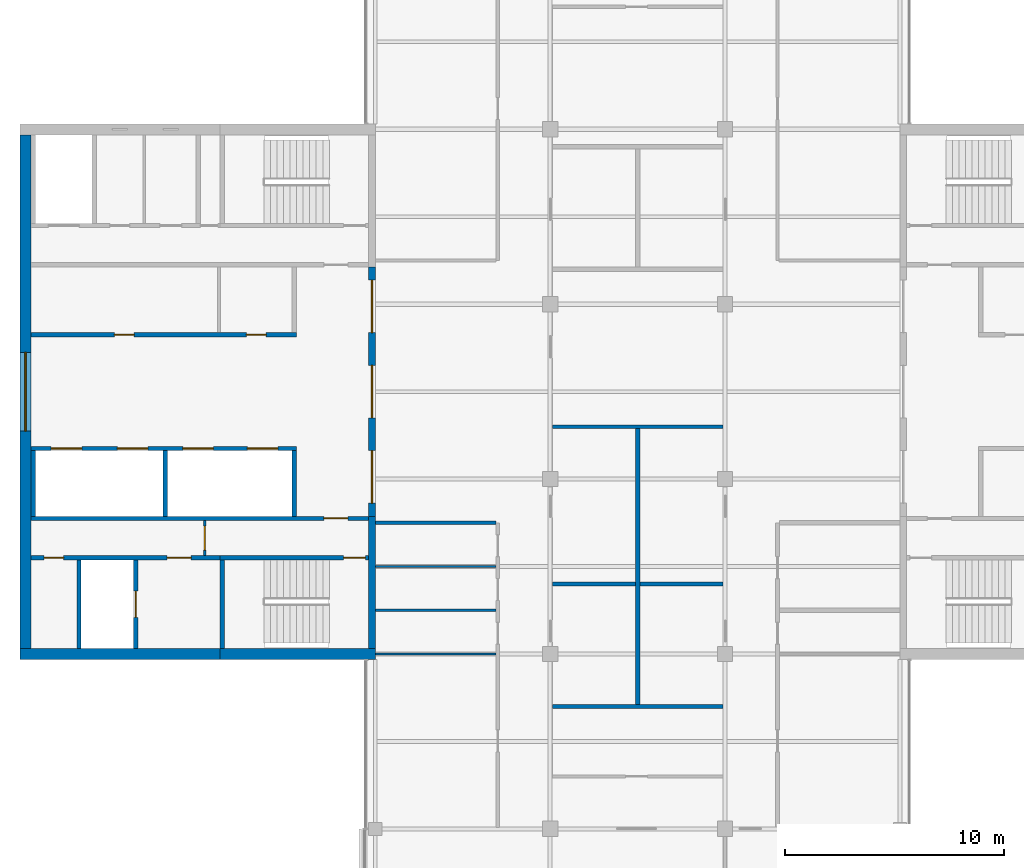
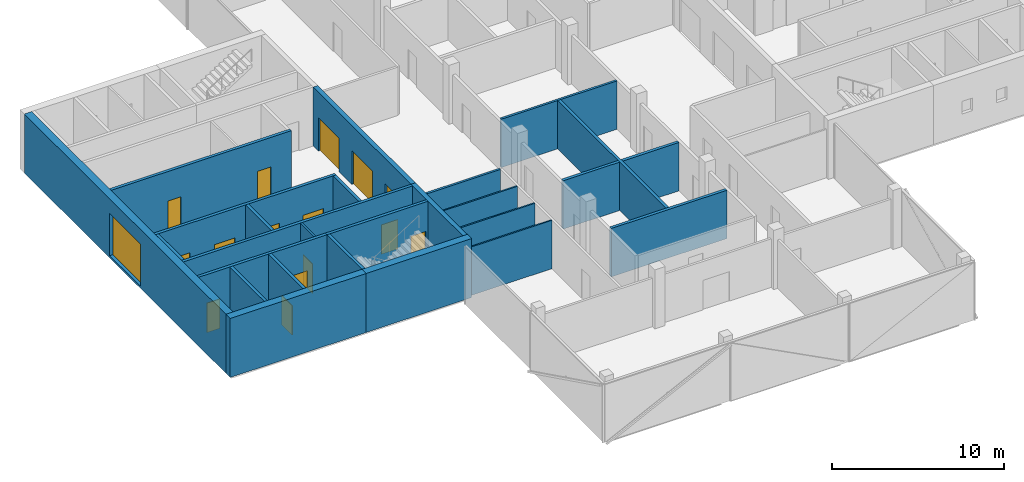
# One storey, part 9 of 16: 26 walls, 15 doors, 1 window, 16 openings.
"""IFC4 building model written with IfcOpenShell, lengths in metres."""

from ifc_helpers import new_model, si_unit, direction, frame, frame_2d, origin, place, context, subcontext, project, spatial, rectangle, extrude, material, layer, layer_set, constituent, constituent_set, type_object, element, fill, save


model = new_model("IFC4")

# Units and contexts
model_context = context("Model", 3, precision=1e-05, world=origin(), true_north=direction((0.0, 1.0)))
body_context = subcontext(model_context, "Body", "Model", "MODEL_VIEW")
ifc_project = project(units=[si_unit("LENGTHUNIT", "METRE"), si_unit("AREAUNIT", "SQUARE_METRE"), si_unit("VOLUMEUNIT", "CUBIC_METRE"), si_unit("PLANEANGLEUNIT", "RADIAN"), si_unit("MASSUNIT", "GRAM", prefix="KILO")], contexts=[model_context])

# Site, building, storey
site_placement = place(None, origin())
site = spatial("IfcSite", under=ifc_project, at=site_placement, CompositionType="ELEMENT")
building_placement = place(site_placement, origin())
building = spatial("IfcBuilding", under=site, at=building_placement, Name="Crosswind Convention Tower", CompositionType="ELEMENT")
storey_placement = place(building_placement, frame((0.0, 0.0, 287.10009765625)))
storey = spatial("IfcBuildingStorey", under=building, at=storey_placement, Name="L62", CompositionType="ELEMENT", Elevation=287.10009765625)

# Walls
ifc_material_1 = material(Name="Concrete blockwork", Category="masonry")
ifc_layer_1 = layer(ifc_material_1, 0.199951171875)
ifc_layer_set_1 = layer_set([ifc_layer_1], Name="COMPARTMENT WALL 200 BLOCKWORK")
wall_type_1 = type_object("IfcWallType", Name="COMPARTMENT WALL 200 BLOCKWORK", PredefinedType="SOLIDWALL", material=ifc_layer_set_1)
wall_1_placement = place(storey_placement, frame((125.0, 85.699951171875, 0.0), z_axis=(0.0, 0.0, 1.0), x_axis=(0.0, 1.0, 0.0)))
element("IfcWall", 1, at=wall_1_placement, inside=storey, type_object=wall_type_1, Name="Compartment wall WT42", PredefinedType="SOLIDWALL", context=body_context, shape_type="SweptSolid", body=[
    extrude(rectangle(XDim=12.625, YDim=0.199951171875, at=frame_2d((6.3125, 0.0))), origin(), (0.0, 0.0, 1.0), 3.442626953125),
])
wall_2_placement = place(storey_placement, frame((121.10009765625, 85.60009765625, 0.0), z_axis=(0.0, 0.0, 1.0), x_axis=(1.0, 0.0, 0.0)))
element("IfcWall", 2, at=wall_2_placement, inside=storey, type_object=wall_type_1, Name="Compartment wall WT42", PredefinedType="SOLIDWALL", context=body_context, shape_type="SweptSolid", body=[
    extrude(rectangle(XDim=7.7998046875, YDim=0.199951171875, at=frame_2d((3.89990234375, 0.0))), origin(), (0.0, 0.0, 1.0), 3.442626953125),
])
for number, where, z_axis, x_axis, name in (
    (3, (121.10009765625, 91.199951171875, 0.0), (0.0, 0.0, 1.0), (1.0, 0.0, 0.0), "Compartment wall WT42"),
    (4, (125.10009765625, 91.199951171875, 0.0), (0.0, 0.0, 1.0), (1.0, 0.0, 0.0), "Compartment wall WT42"),
):
    element("IfcWall", number, at=place(storey_placement, frame(where, z_axis=z_axis, x_axis=x_axis)), inside=storey, type_object=wall_type_1, Name=name, PredefinedType="SOLIDWALL", context=body_context, shape_type="SweptSolid", body=[
        extrude(rectangle(XDim=3.7998046875, YDim=0.199951171875, at=frame_2d((1.89990234375, 0.0))), origin(), (0.0, 0.0, 1.0), 3.442626953125),
    ])

# Wall, openings, doors
ifc_material_2 = material(Name="Concrete C50/60", Category="concrete")
ifc_layer_2 = layer(ifc_material_2, 0.300048828125)
ifc_layer_set_2 = layer_set([ifc_layer_2], Name="Concrete C50/60")
wall_type_2 = type_object("IfcWallType", Name="Concrete inner core wall 300", PredefinedType="SHEAR", material=ifc_layer_set_2)
wall_3_placement = place(storey_placement, frame((112.85009765625, 105.699951171875, 0.0), z_axis=(0.0, 0.0, 1.0), x_axis=(0.0, -1.0, 0.0)))
wall_3 = element("IfcWall", 5, at=wall_3_placement, inside=storey, type_object=wall_type_2, Name="Wall SCR W L62", PredefinedType="SHEAR", context=body_context, shape_type="SweptSolid", body=[
    extrude(rectangle(XDim=11.39990234375, YDim=0.300048828125, at=frame_2d((5.699951171875, 0.0))), origin(), (0.0, 0.0, 1.0), 4.199951171875),
])
opening_1_placement = place(wall_3_placement, frame((0.60009765625, 0.0, 0.0)))
opening_1 = element("IfcOpeningElement", 6, at=opening_1_placement, cuts=wall_3, Name="Opening D100", PredefinedType="OPENING", context=body_context, shape_type="SweptSolid", body=[
    extrude(rectangle(XDim=2.39990234375, YDim=2.39990234375, at=frame_2d((1.199951171875, 1.199951171875))), frame((0.0, 0.159912109375, 0.0), z_axis=(0.0, -1.0, 0.0), x_axis=(1.0, 0.0, 0.0)), (0.0, 0.0, 1.0), 0.320068359375),
])
opening_2_placement = place(wall_3_placement, frame((4.5, 0.0, 0.0)))
opening_2 = element("IfcOpeningElement", 7, at=opening_2_placement, cuts=wall_3, Name="Opening D100", PredefinedType="OPENING", context=body_context, shape_type="SweptSolid", body=[
    extrude(rectangle(XDim=2.39990234375, YDim=2.39990234375, at=frame_2d((1.199951171875, 1.199951171875))), frame((0.0, 0.159912109375, 0.0), z_axis=(0.0, -1.0, 0.0), x_axis=(1.0, 0.0, 0.0)), (0.0, 0.0, 1.0), 0.320068359375),
])
opening_3_placement = place(wall_3_placement, frame((8.39990234375, 0.0, 0.0)))
opening_3 = element("IfcOpeningElement", 8, at=opening_3_placement, cuts=wall_3, Name="Opening D100", PredefinedType="OPENING", context=body_context, shape_type="SweptSolid", body=[
    extrude(rectangle(XDim=2.39990234375, YDim=2.39990234375, at=frame_2d((1.199951171875, 1.199951171875))), frame((0.0, 0.159912109375, 0.0), z_axis=(0.0, -1.0, 0.0), x_axis=(1.0, 0.0, 0.0)), (0.0, 0.0, 1.0), 0.320068359375),
])
ifc_material_3 = material(Name="Steel fire door with glazed vision panels", Category="steel")
door_type_1 = type_object("IfcDoorType", Name="Fire-rated double door 2400x2400", OperationType="DOUBLE_DOOR_SINGLE_SWING", PredefinedType="DOOR", material=ifc_material_3)
door_1_placement = place(opening_1_placement, origin())
door_1 = element("IfcDoor", 9, at=door_1_placement, inside=storey, type_object=door_type_1, Name="Lobby door 1 L62", ObjectType="D100", OperationType="DOUBLE_DOOR_SINGLE_SWING", OverallHeight=2.39990234375, OverallWidth=2.39990234375, PredefinedType="DOOR", context=body_context, shape_type="SweptSolid", body=[
    extrude(rectangle(XDim=2.39990234375, YDim=2.39990234375, at=frame_2d((1.199951171875, 1.199951171875))), frame((0.0, 0.02490234375, 0.0), z_axis=(0.0, -1.0, 0.0), x_axis=(1.0, 0.0, 0.0)), (0.0, 0.0, 1.0), 0.050048828125),
])
fill(opening_1, door_1)
door_2_placement = place(opening_2_placement, origin())
door_2 = element("IfcDoor", 10, at=door_2_placement, inside=storey, type_object=door_type_1, Name="Lobby door 2 L62", ObjectType="D100", OperationType="DOUBLE_DOOR_SINGLE_SWING", OverallHeight=2.39990234375, OverallWidth=2.39990234375, PredefinedType="DOOR", context=body_context, shape_type="SweptSolid", body=[
    extrude(rectangle(XDim=2.39990234375, YDim=2.39990234375, at=frame_2d((1.199951171875, 1.199951171875))), frame((0.0, 0.02490234375, 0.0), z_axis=(0.0, -1.0, 0.0), x_axis=(1.0, 0.0, 0.0)), (0.0, 0.0, 1.0), 0.050048828125),
])
fill(opening_2, door_2)
door_3_placement = place(opening_3_placement, origin())
door_3 = element("IfcDoor", 11, at=door_3_placement, inside=storey, type_object=door_type_1, Name="Lobby door 3 L62", ObjectType="D100", OperationType="DOUBLE_DOOR_SINGLE_SWING", OverallHeight=2.39990234375, OverallWidth=2.39990234375, PredefinedType="DOOR", context=body_context, shape_type="SweptSolid", body=[
    extrude(rectangle(XDim=2.39990234375, YDim=2.39990234375, at=frame_2d((1.199951171875, 1.199951171875))), frame((0.0, 0.02490234375, 0.0), z_axis=(0.0, -1.0, 0.0), x_axis=(1.0, 0.0, 0.0)), (0.0, 0.0, 1.0), 0.050048828125),
])
fill(opening_3, door_3)

# Walls
wall_4_placement = place(storey_placement, frame((112.85009765625, 94.300048828125, 0.0), z_axis=(0.0, 0.0, 1.0), x_axis=(0.0, -1.0, 0.0)))
element("IfcWall", 12, at=wall_4_placement, inside=storey, type_object=wall_type_2, Name="Wall EP W L62", PredefinedType="SHEAR", context=body_context, shape_type="SweptSolid", body=[
    extrude(rectangle(XDim=6.050048828125, YDim=0.300048828125, at=frame_2d((3.02490234375, 0.0))), origin(), (0.0, 0.0, 1.0), 4.199951171875),
])
ifc_layer_3 = layer(ifc_material_2, 0.199951171875)
ifc_layer_set_3 = layer_set([ifc_layer_3], Name="Concrete C50/60")
wall_type_3 = type_object("IfcWallType", Name="Concrete shaft and stair wall 200", PredefinedType="SHEAR", material=ifc_layer_set_3)
for number, where, z_axis, x_axis, name in (
    (13, (109.300048828125, 97.300048828125, 0.0), (0.0, 0.0, 1.0), (0.0, -1.0, 0.0), "Wall RPEND W L62"),
    (14, (103.39990234375, 97.300048828125, 0.0), (0.0, 0.0, 1.0), (0.0, -1.0, 0.0), "Wall RPSEP W L62"),
    (15, (97.35009765625, 97.300048828125, 0.0), (0.0, 0.0, 1.0), (0.0, -1.0, 0.0), "Wall RPEAST W L62"),
):
    element("IfcWall", number, at=place(storey_placement, frame(where, z_axis=z_axis, x_axis=x_axis)), inside=storey, type_object=wall_type_3, Name=name, PredefinedType="SHEAR", context=body_context, shape_type="SweptSolid", body=[
        extrude(rectangle(XDim=3.0, YDim=0.199951171875, at=frame_2d((1.5, 0.0))), origin(), (0.0, 0.0, 1.0), 4.199951171875),
    ])

# Wall, openings, doors
wall_5_placement = place(storey_placement, frame((109.39990234375, 97.39990234375, 0.0), z_axis=(0.0, 0.0, 1.0), x_axis=(-1.0, 0.0, 0.0)))
wall_5 = element("IfcWall", 16, at=wall_5_placement, inside=storey, type_object=wall_type_3, Name="Wall RPFRONT W L62", PredefinedType="SHEAR", context=body_context, shape_type="SweptSolid", body=[
    extrude(rectangle(XDim=12.14990234375, YDim=0.199951171875, at=frame_2d((6.074951171875, 0.0))), origin(), (0.0, 0.0, 1.0), 4.199951171875),
])
opening_4_placement = place(wall_5_placement, frame((0.85009765625, 0.0, 0.0)))
opening_4 = element("IfcOpeningElement", 17, at=opening_4_placement, cuts=wall_5, Name="Opening LD2", PredefinedType="OPENING", context=body_context, shape_type="SweptSolid", body=[
    extrude(rectangle(XDim=1.39990234375, YDim=2.10009765625, at=frame_2d((0.699951171875, 1.050048828125))), frame((0.0, 0.10986328125, 0.0), z_axis=(0.0, -1.0, 0.0), x_axis=(1.0, 0.0, 0.0)), (0.0, 0.0, 1.0), 0.219970703125),
])
opening_5_placement = place(wall_5_placement, frame((3.800048828125, 0.0, 0.0)))
opening_5 = element("IfcOpeningElement", 18, at=opening_5_placement, cuts=wall_5, Name="Opening LD2", PredefinedType="OPENING", context=body_context, shape_type="SweptSolid", body=[
    extrude(rectangle(XDim=1.39990234375, YDim=2.10009765625, at=frame_2d((0.699951171875, 1.050048828125))), frame((0.0, 0.10986328125, 0.0), z_axis=(0.0, -1.0, 0.0), x_axis=(1.0, 0.0, 0.0)), (0.0, 0.0, 1.0), 0.219970703125),
])
opening_6_placement = place(wall_5_placement, frame((6.800048828125, 0.0, 0.0)))
opening_6 = element("IfcOpeningElement", 19, at=opening_6_placement, cuts=wall_5, Name="Opening LD2", PredefinedType="OPENING", context=body_context, shape_type="SweptSolid", body=[
    extrude(rectangle(XDim=1.39990234375, YDim=2.10009765625, at=frame_2d((0.699951171875, 1.050048828125))), frame((0.0, 0.10986328125, 0.0), z_axis=(0.0, -1.0, 0.0), x_axis=(1.0, 0.0, 0.0)), (0.0, 0.0, 1.0), 0.219970703125),
])
opening_7_placement = place(wall_5_placement, frame((9.824951171875, 0.0, 0.0)))
opening_7 = element("IfcOpeningElement", 20, at=opening_7_placement, cuts=wall_5, Name="Opening LD2", PredefinedType="OPENING", context=body_context, shape_type="SweptSolid", body=[
    extrude(rectangle(XDim=1.39990234375, YDim=2.10009765625, at=frame_2d((0.699951171875, 1.050048828125))), frame((0.0, 0.10986328125, 0.0), z_axis=(0.0, -1.0, 0.0), x_axis=(1.0, 0.0, 0.0)), (0.0, 0.0, 1.0), 0.219970703125),
])
ifc_material_4 = material(Name="Stainless steel", Category="steel")
door_type_2 = type_object("IfcDoorType", Name="Lift landing door 1400x2100", OperationType="DOUBLE_DOOR_SLIDING", PredefinedType="DOOR", material=ifc_material_4)
door_4_placement = place(opening_4_placement, origin())
door_4 = element("IfcDoor", 21, at=door_4_placement, inside=storey, type_object=door_type_2, Name="Landing door HR1 L62", ObjectType="LD2", OperationType="DOUBLE_DOOR_SLIDING", OverallHeight=2.10009765625, OverallWidth=1.39990234375, PredefinedType="DOOR", context=body_context, shape_type="SweptSolid", body=[
    extrude(rectangle(XDim=1.39990234375, YDim=2.10009765625, at=frame_2d((0.699951171875, 1.050048828125))), frame((0.0, 0.02490234375, 0.0), z_axis=(0.0, -1.0, 0.0), x_axis=(1.0, 0.0, 0.0)), (0.0, 0.0, 1.0), 0.050048828125),
])
fill(opening_4, door_4)
door_5_placement = place(opening_5_placement, origin())
door_5 = element("IfcDoor", 22, at=door_5_placement, inside=storey, type_object=door_type_2, Name="Landing door HR2 L62", ObjectType="LD2", OperationType="DOUBLE_DOOR_SLIDING", OverallHeight=2.10009765625, OverallWidth=1.39990234375, PredefinedType="DOOR", context=body_context, shape_type="SweptSolid", body=[
    extrude(rectangle(XDim=1.39990234375, YDim=2.10009765625, at=frame_2d((0.699951171875, 1.050048828125))), frame((0.0, 0.02490234375, 0.0), z_axis=(0.0, -1.0, 0.0), x_axis=(1.0, 0.0, 0.0)), (0.0, 0.0, 1.0), 0.050048828125),
])
fill(opening_5, door_5)
door_6_placement = place(opening_6_placement, origin())
door_6 = element("IfcDoor", 23, at=door_6_placement, inside=storey, type_object=door_type_2, Name="Landing door HR3 L62", ObjectType="LD2", OperationType="DOUBLE_DOOR_SLIDING", OverallHeight=2.10009765625, OverallWidth=1.39990234375, PredefinedType="DOOR", context=body_context, shape_type="SweptSolid", body=[
    extrude(rectangle(XDim=1.39990234375, YDim=2.10009765625, at=frame_2d((0.699951171875, 1.050048828125))), frame((0.0, 0.02490234375, 0.0), z_axis=(0.0, -1.0, 0.0), x_axis=(1.0, 0.0, 0.0)), (0.0, 0.0, 1.0), 0.050048828125),
])
fill(opening_6, door_6)
door_7_placement = place(opening_7_placement, origin())
door_7 = element("IfcDoor", 24, at=door_7_placement, inside=storey, type_object=door_type_2, Name="Landing door HR4 L62", ObjectType="LD2", OperationType="DOUBLE_DOOR_SLIDING", OverallHeight=2.10009765625, OverallWidth=1.39990234375, PredefinedType="DOOR", context=body_context, shape_type="SweptSolid", body=[
    extrude(rectangle(XDim=1.39990234375, YDim=2.10009765625, at=frame_2d((0.699951171875, 1.050048828125))), frame((0.0, 0.02490234375, 0.0), z_axis=(0.0, -1.0, 0.0), x_axis=(1.0, 0.0, 0.0)), (0.0, 0.0, 1.0), 0.050048828125),
])
fill(opening_7, door_7)

wall_6_placement = place(storey_placement, frame((109.39990234375, 102.60009765625, 0.0), z_axis=(0.0, 0.0, 1.0), x_axis=(-1.0, 0.0, 0.0)))
wall_6 = element("IfcWall", 25, at=wall_6_placement, inside=storey, type_object=wall_type_3, Name="Wall RMFRONT W L62", PredefinedType="SHEAR", context=body_context, shape_type="SweptSolid", body=[
    extrude(rectangle(XDim=12.14990234375, YDim=0.199951171875, at=frame_2d((6.074951171875, 0.0))), origin(), (0.0, 0.0, 1.0), 4.199951171875),
])
opening_8_placement = place(wall_6_placement, frame((1.391845703125, 0.0, 0.0)))
opening_8 = element("IfcOpeningElement", 26, at=opening_8_placement, cuts=wall_6, Name="Opening D106", PredefinedType="OPENING", context=body_context, shape_type="SweptSolid", body=[
    extrude(rectangle(XDim=0.89990234375, YDim=2.10009765625, at=frame_2d((0.449951171875, 1.050048828125))), frame((0.0, 0.10986328125, 0.0), z_axis=(0.0, -1.0, 0.0), x_axis=(1.0, 0.0, 0.0)), (0.0, 0.0, 1.0), 0.219970703125),
])
opening_9_placement = place(wall_6_placement, frame((7.42919921875, 0.0, 0.0)))
opening_9 = element("IfcOpeningElement", 27, at=opening_9_placement, cuts=wall_6, Name="Opening D106", PredefinedType="OPENING", context=body_context, shape_type="SweptSolid", body=[
    extrude(rectangle(XDim=0.89990234375, YDim=2.10009765625, at=frame_2d((0.449951171875, 1.050048828125))), frame((0.0, 0.10986328125, 0.0), z_axis=(0.0, -1.0, 0.0), x_axis=(1.0, 0.0, 0.0)), (0.0, 0.0, 1.0), 0.219970703125),
])
ifc_material_5 = material(Name="Timber door", Category="wood")
door_type_3 = type_object("IfcDoorType", Name="Single leaf door 900x2100", OperationType="NOTDEFINED", PredefinedType="DOOR", material=ifc_material_5)
door_8_placement = place(opening_8_placement, frame((0.89990234375, 0.0, 0.0), z_axis=(0.0, 0.0, 1.0), x_axis=(-1.0, 0.0, 0.0)))
door_8 = element("IfcDoor", 28, at=door_8_placement, inside=storey, type_object=door_type_3, Name="Door to storeroom L62", ObjectType="D106", OperationType="SINGLE_SWING_LEFT", OverallHeight=2.10009765625, OverallWidth=0.89990234375, PredefinedType="DOOR", context=body_context, shape_type="SweptSolid", body=[
    extrude(rectangle(XDim=0.89990234375, YDim=2.10009765625, at=frame_2d((0.449951171875, 1.050048828125))), frame((0.0, 0.02490234375, 0.0), z_axis=(0.0, -1.0, 0.0), x_axis=(1.0, 0.0, 0.0)), (0.0, 0.0, 1.0), 0.050048828125),
])
fill(opening_8, door_8)
door_9_placement = place(opening_9_placement, frame((0.89990234375, 0.0, 0.0), z_axis=(0.0, 0.0, 1.0), x_axis=(-1.0, 0.0, 0.0)))
door_9 = element("IfcDoor", 29, at=door_9_placement, inside=storey, type_object=door_type_3, Name="Door to tenant services room L62", ObjectType="D106", OperationType="SINGLE_SWING_LEFT", OverallHeight=2.10009765625, OverallWidth=0.89990234375, PredefinedType="DOOR", context=body_context, shape_type="SweptSolid", body=[
    extrude(rectangle(XDim=0.89990234375, YDim=2.10009765625, at=frame_2d((0.449951171875, 1.050048828125))), frame((0.0, 0.02490234375, 0.0), z_axis=(0.0, -1.0, 0.0), x_axis=(1.0, 0.0, 0.0)), (0.0, 0.0, 1.0), 0.050048828125),
])
fill(opening_9, door_9)

# Wall, opening, door
wall_7_placement = place(storey_placement, frame((112.699951171875, 94.199951171875, 0.0), z_axis=(0.0, 0.0, 1.0), x_axis=(-1.0, 0.0, 0.0)))
wall_7 = element("IfcWall", 30, at=wall_7_placement, inside=storey, type_object=wall_type_3, Name="Wall HP W L62", PredefinedType="SHEAR", context=body_context, shape_type="SweptSolid", body=[
    extrude(rectangle(XDim=15.449951171875, YDim=0.199951171875, at=frame_2d((7.72509765625, 0.0))), origin(), (0.0, 0.0, 1.0), 4.199951171875),
])
opening_10_placement = place(wall_7_placement, frame((0.949951171875, 0.0, 0.0)))
opening_10 = element("IfcOpeningElement", 31, at=opening_10_placement, cuts=wall_7, Name="Opening D104", PredefinedType="OPENING", context=body_context, shape_type="SweptSolid", body=[
    extrude(rectangle(XDim=1.10009765625, YDim=2.10009765625, at=frame_2d((0.550048828125, 1.050048828125))), frame((0.0, 0.10986328125, 0.0), z_axis=(0.0, -1.0, 0.0), x_axis=(1.0, 0.0, 0.0)), (0.0, 0.0, 1.0), 0.219970703125),
])
ifc_material_6 = material(Name="Steel fire door", Category="steel")
door_type_4 = type_object("IfcDoorType", Name="Fire-rated single door 1100x2100", OperationType="NOTDEFINED", PredefinedType="DOOR", material=ifc_material_6)
door_10_placement = place(opening_10_placement, origin())
door_10 = element("IfcDoor", 32, at=door_10_placement, inside=storey, type_object=door_type_4, Name="Corridor door L62", ObjectType="D104", OperationType="SINGLE_SWING_LEFT", OverallHeight=2.10009765625, OverallWidth=1.10009765625, PredefinedType="DOOR", context=body_context, shape_type="SweptSolid", body=[
    extrude(rectangle(XDim=1.10009765625, YDim=2.10009765625, at=frame_2d((0.550048828125, 1.050048828125))), frame((0.0, 0.02490234375, 0.0), z_axis=(0.0, -1.0, 0.0), x_axis=(1.0, 0.0, 0.0)), (0.0, 0.0, 1.0), 0.050048828125),
])
fill(opening_10, door_10)

# Wall
wall_8_placement = place(storey_placement, frame((106.0, 92.300048828125, 0.0), z_axis=(0.0, 0.0, 1.0), x_axis=(0.0, -1.0, 0.0)))
element("IfcWall", 33, at=wall_8_placement, inside=storey, type_object=wall_type_3, Name="Wall PSE W L62", PredefinedType="SHEAR", context=body_context, shape_type="SweptSolid", body=[
    extrude(rectangle(XDim=4.050048828125, YDim=0.199951171875, at=frame_2d((2.02490234375, 0.0))), origin(), (0.0, 0.0, 1.0), 4.199951171875),
])

# Wall, opening, door
wall_9_placement = place(storey_placement, frame((102.050048828125, 92.300048828125, 0.0), z_axis=(0.0, 0.0, 1.0), x_axis=(0.0, -1.0, 0.0)))
wall_9 = element("IfcWall", 34, at=wall_9_placement, inside=storey, type_object=wall_type_3, Name="Wall PFLW W L62", PredefinedType="SHEAR", context=body_context, shape_type="SweptSolid", body=[
    extrude(rectangle(XDim=4.050048828125, YDim=0.199951171875, at=frame_2d((2.02490234375, 0.0))), origin(), (0.0, 0.0, 1.0), 4.199951171875),
])
opening_11_placement = place(wall_9_placement, frame((1.425048828125, 0.0, 0.0)))
opening_11 = element("IfcOpeningElement", 35, at=opening_11_placement, cuts=wall_9, Name="Opening LD1", PredefinedType="OPENING", context=body_context, shape_type="SweptSolid", body=[
    extrude(rectangle(XDim=1.199951171875, YDim=2.10009765625, at=frame_2d((0.60009765625, 1.050048828125))), frame((0.0, 0.10986328125, 0.0), z_axis=(0.0, -1.0, 0.0), x_axis=(1.0, 0.0, 0.0)), (0.0, 0.0, 1.0), 0.219970703125),
])
door_type_5 = type_object("IfcDoorType", Name="Lift landing door 1200x2100", OperationType="DOUBLE_DOOR_SLIDING", PredefinedType="DOOR", material=ifc_material_4)
door_11_placement = place(opening_11_placement, origin())
door_11 = element("IfcDoor", 36, at=door_11_placement, inside=storey, type_object=door_type_5, Name="Landing door FF2 L62", ObjectType="LD1", OperationType="DOUBLE_DOOR_SLIDING", OverallHeight=2.10009765625, OverallWidth=1.199951171875, PredefinedType="DOOR", context=body_context, shape_type="SweptSolid", body=[
    extrude(rectangle(XDim=1.199951171875, YDim=2.10009765625, at=frame_2d((0.60009765625, 1.050048828125))), frame((0.0, 0.02490234375, 0.0), z_axis=(0.0, -1.0, 0.0), x_axis=(1.0, 0.0, 0.0)), (0.0, 0.0, 1.0), 0.050048828125),
])
fill(opening_11, door_11)

# Wall
wall_10_placement = place(storey_placement, frame((99.449951171875, 92.300048828125, 0.0), z_axis=(0.0, 0.0, 1.0), x_axis=(0.0, -1.0, 0.0)))
element("IfcWall", 37, at=wall_10_placement, inside=storey, type_object=wall_type_3, Name="Wall PFSE W L62", PredefinedType="SHEAR", context=body_context, shape_type="SweptSolid", body=[
    extrude(rectangle(XDim=4.050048828125, YDim=0.199951171875, at=frame_2d((2.02490234375, 0.0))), origin(), (0.0, 0.0, 1.0), 4.199951171875),
])

# Wall, opening, door
wall_11_placement = place(storey_placement, frame((112.699951171875, 92.39990234375, 0.0), z_axis=(0.0, 0.0, 1.0), x_axis=(-1.0, 0.0, 0.0)))
wall_11 = element("IfcWall", 38, at=wall_11_placement, inside=storey, type_object=wall_type_3, Name="Wall PCW W L62", PredefinedType="SHEAR", context=body_context, shape_type="SweptSolid", body=[
    extrude(rectangle(XDim=6.800048828125, YDim=0.199951171875, at=frame_2d((3.39990234375, 0.0))), origin(), (0.0, 0.0, 1.0), 4.199951171875),
])
opening_12_placement = place(wall_11_placement, frame((0.14990234375, 0.0, 0.0)))
opening_12 = element("IfcOpeningElement", 39, at=opening_12_placement, cuts=wall_11, Name="Opening D103", PredefinedType="OPENING", context=body_context, shape_type="SweptSolid", body=[
    extrude(rectangle(XDim=1.0, YDim=2.10009765625, at=frame_2d((0.5, 1.050048828125))), frame((0.0, 0.10986328125, 0.0), z_axis=(0.0, -1.0, 0.0), x_axis=(1.0, 0.0, 0.0)), (0.0, 0.0, 1.0), 0.219970703125),
])
door_type_6 = type_object("IfcDoorType", Name="Fire-rated single door 1000x2100", OperationType="NOTDEFINED", PredefinedType="DOOR", material=ifc_material_6)
door_12_placement = place(opening_12_placement, origin())
door_12 = element("IfcDoor", 40, at=door_12_placement, inside=storey, type_object=door_type_6, Name="Stair ST3 door L62", ObjectType="D103", OperationType="SINGLE_SWING_LEFT", OverallHeight=2.10009765625, OverallWidth=1.0, PredefinedType="DOOR", context=body_context, shape_type="SweptSolid", body=[
    extrude(rectangle(XDim=1.0, YDim=2.10009765625, at=frame_2d((0.5, 1.050048828125))), frame((0.0, 0.02490234375, 0.0), z_axis=(0.0, -1.0, 0.0), x_axis=(1.0, 0.0, 0.0)), (0.0, 0.0, 1.0), 0.050048828125),
])
fill(opening_12, door_12)

# Wall, openings, doors
wall_12_placement = place(storey_placement, frame((105.89990234375, 92.39990234375, 0.0), z_axis=(0.0, 0.0, 1.0), x_axis=(-1.0, 0.0, 0.0)))
wall_12 = element("IfcWall", 41, at=wall_12_placement, inside=storey, type_object=wall_type_3, Name="Wall PCX W L62", PredefinedType="SHEAR", context=body_context, shape_type="SweptSolid", body=[
    extrude(rectangle(XDim=8.64990234375, YDim=0.199951171875, at=frame_2d((4.324951171875, 0.0))), origin(), (0.0, 0.0, 1.0), 4.199951171875),
])
opening_13_placement = place(wall_12_placement, frame((1.324951171875, 0.0, 0.0)))
opening_13 = element("IfcOpeningElement", 42, at=opening_13_placement, cuts=wall_12, Name="Opening D104", PredefinedType="OPENING", context=body_context, shape_type="SweptSolid", body=[
    extrude(rectangle(XDim=1.10009765625, YDim=2.10009765625, at=frame_2d((0.550048828125, 1.050048828125))), frame((0.0, 0.10986328125, 0.0), z_axis=(0.0, -1.0, 0.0), x_axis=(1.0, 0.0, 0.0)), (0.0, 0.0, 1.0), 0.219970703125),
])
opening_14_placement = place(wall_12_placement, frame((7.14990234375, 0.0, 0.0)))
opening_14 = element("IfcOpeningElement", 43, at=opening_14_placement, cuts=wall_12, Name="Opening D106", PredefinedType="OPENING", context=body_context, shape_type="SweptSolid", body=[
    extrude(rectangle(XDim=0.89990234375, YDim=2.10009765625, at=frame_2d((0.449951171875, 1.050048828125))), frame((0.0, 0.10986328125, 0.0), z_axis=(0.0, -1.0, 0.0), x_axis=(1.0, 0.0, 0.0)), (0.0, 0.0, 1.0), 0.219970703125),
])
door_13_placement = place(opening_13_placement, origin())
door_13 = element("IfcDoor", 44, at=door_13_placement, inside=storey, type_object=door_type_4, Name="Fire-fighting lobby FF2 door L62", ObjectType="D104", OperationType="SINGLE_SWING_RIGHT", OverallHeight=2.10009765625, OverallWidth=1.10009765625, PredefinedType="DOOR", context=body_context, shape_type="SweptSolid", body=[
    extrude(rectangle(XDim=1.10009765625, YDim=2.10009765625, at=frame_2d((0.550048828125, 1.050048828125))), frame((0.0, 0.02490234375, 0.0), z_axis=(0.0, -1.0, 0.0), x_axis=(1.0, 0.0, 0.0)), (0.0, 0.0, 1.0), 0.050048828125),
])
fill(opening_13, door_13)
door_14_placement = place(opening_14_placement, origin())
door_14 = element("IfcDoor", 45, at=door_14_placement, inside=storey, type_object=door_type_3, Name="Door to electrical room L62", ObjectType="D106", OperationType="SINGLE_SWING_RIGHT", OverallHeight=2.10009765625, OverallWidth=0.89990234375, PredefinedType="DOOR", context=body_context, shape_type="SweptSolid", body=[
    extrude(rectangle(XDim=0.89990234375, YDim=2.10009765625, at=frame_2d((0.449951171875, 1.050048828125))), frame((0.0, 0.02490234375, 0.0), z_axis=(0.0, -1.0, 0.0), x_axis=(1.0, 0.0, 0.0)), (0.0, 0.0, 1.0), 0.050048828125),
])
fill(opening_14, door_14)

# Wall, opening, door
ifc_material_7 = material(Name="Gypsum plasterboard partition", Category="gypsum")
ifc_layer_4 = layer(ifc_material_7, 0.125)
ifc_layer_set_4 = layer_set([ifc_layer_4], Name="Drywall partition wall 125")
wall_type_4 = type_object("IfcWallType", Name="Drywall partition wall 125", PredefinedType="PARTITIONING", material=ifc_layer_set_4)
wall_13_placement = place(storey_placement, frame((105.199951171875, 94.10009765625, 0.0), z_axis=(0.0, 0.0, 1.0), x_axis=(0.0, -1.0, 0.0)))
wall_13 = element("IfcWall", 46, at=wall_13_placement, inside=storey, type_object=wall_type_4, Name="Wall PXC1 W L62", PredefinedType="PARTITIONING", context=body_context, shape_type="SweptSolid", body=[
    extrude(rectangle(XDim=1.60009765625, YDim=0.125, at=frame_2d((0.800048828125, 0.0))), origin(), (0.0, 0.0, 1.0), 4.199951171875),
])
opening_15_placement = place(wall_13_placement, frame((0.25, 0.0, 0.0)))
opening_15 = element("IfcOpeningElement", 47, at=opening_15_placement, cuts=wall_13, Name="Opening D104", PredefinedType="OPENING", context=body_context, shape_type="SweptSolid", body=[
    extrude(rectangle(XDim=1.10009765625, YDim=2.10009765625, at=frame_2d((0.550048828125, 1.050048828125))), frame((0.0, 0.072509765625, 0.0), z_axis=(0.0, -1.0, 0.0), x_axis=(1.0, 0.0, 0.0)), (0.0, 0.0, 1.0), 0.14501953125),
])
door_15_placement = place(opening_15_placement, origin())
door_15 = element("IfcDoor", 48, at=door_15_placement, inside=storey, type_object=door_type_4, Name="Corridor smoke door L62", ObjectType="D104", OperationType="SINGLE_SWING_RIGHT", OverallHeight=2.10009765625, OverallWidth=1.10009765625, PredefinedType="DOOR", context=body_context, shape_type="SweptSolid", body=[
    extrude(rectangle(XDim=1.10009765625, YDim=2.10009765625, at=frame_2d((0.550048828125, 1.050048828125))), frame((0.0, 0.02490234375, 0.0), z_axis=(0.0, -1.0, 0.0), x_axis=(1.0, 0.0, 0.0)), (0.0, 0.0, 1.0), 0.050048828125),
])
fill(opening_15, door_15)

# Walls
ifc_material_8 = material(Name="Plasterboard partition", Category="gypsum")
ifc_layer_5 = layer(ifc_material_8, 0.10009765625)
ifc_layer_set_5 = layer_set([ifc_layer_5], Name="PARTITION 100 METAL STUD")
wall_type_5 = type_object("IfcWallType", Name="PARTITION 100 METAL STUD", PredefinedType="PARTITIONING", material=ifc_layer_set_5)
for number, where, z_axis, x_axis, name in (
    (49, (113.0, 88.0, 0.0), (0.0, 0.0, 1.0), (1.0, 0.0, 0.0), "Partition wall WT40"),
    (50, (113.0, 90.0, 0.0), (0.0, 0.0, 1.0), (1.0, 0.0, 0.0), "Partition wall WT40"),
    (51, (113.0, 92.0, 0.0), (0.0, 0.0, 1.0), (1.0, 0.0, 0.0), "Partition wall WT40"),
):
    element("IfcWall", number, at=place(storey_placement, frame(where, z_axis=z_axis, x_axis=x_axis)), inside=storey, type_object=wall_type_5, Name=name, PredefinedType="PARTITIONING", context=body_context, shape_type="SweptSolid", body=[
        extrude(rectangle(XDim=5.52490234375, YDim=0.10009765625, at=frame_2d((2.762451171875, 0.0))), origin(), (0.0, 0.0, 1.0), 3.442626953125),
    ])
ifc_material_9 = material(Name="Fire-board partition with mineral wool", Category="gypsum")
ifc_layer_6 = layer(ifc_material_9, 0.14990234375)
ifc_layer_set_6 = layer_set([ifc_layer_6], Name="TENANCY WALL 150 TWO-HOUR BOARD")
wall_type_6 = type_object("IfcWallType", Name="TENANCY WALL 150 TWO-HOUR BOARD", PredefinedType="PARTITIONING", material=ifc_layer_set_6)
wall_14_placement = place(storey_placement, frame((113.0, 94.0, 0.0), z_axis=(0.0, 0.0, 1.0), x_axis=(1.0, 0.0, 0.0)))
element("IfcWall", 52, at=wall_14_placement, inside=storey, type_object=wall_type_6, Name="Tenancy wall WT41", PredefinedType="PARTITIONING", context=body_context, shape_type="SweptSolid", body=[
    extrude(rectangle(XDim=5.52490234375, YDim=0.14990234375, at=frame_2d((2.762451171875, 0.0))), origin(), (0.0, 0.0, 1.0), 3.442626953125),
])
wall_15_placement = place(storey_placement, frame((121.10009765625, 98.39990234375, 0.0), z_axis=(0.0, 0.0, 1.0), x_axis=(1.0, 0.0, 0.0)))
element("IfcWall", 53, at=wall_15_placement, inside=storey, type_object=wall_type_6, Name="Tenancy wall WT41", PredefinedType="PARTITIONING", context=body_context, shape_type="SweptSolid", body=[
    extrude(rectangle(XDim=7.7998046875, YDim=0.14990234375, at=frame_2d((3.89990234375, 0.0))), origin(), (0.0, 0.0, 1.0), 3.442626953125),
])
ifc_material_10 = material(Name="Concrete C60/75", Category="concrete")
ifc_constituent_1 = constituent(ifc_material_10, Name="Structure")
ifc_material_11 = material(Name="Terracotta rainscreen", Category="ceramic")
ifc_constituent_2 = constituent(ifc_material_11, Name="Facing")
ifc_constituent_set = constituent_set(constituents=[ifc_constituent_1, ifc_constituent_2], Name="Concrete C60/75, Terracotta rainscreen")
wall_type_7 = type_object("IfcWallType", Name="Terracotta rainscreen on concrete core wall 500", PredefinedType="SHEAR", material=ifc_constituent_set)
wall_16_placement = place(storey_placement, frame((113.0, 88.0, 0.0), z_axis=(0.0, 0.0, 1.0), x_axis=(-1.0, 0.0, 0.0)))
element("IfcWall", 54, at=wall_16_placement, inside=storey, type_object=wall_type_7, Name="Wall N1 W L62", PredefinedType="SHEAR", context=body_context, shape_type="SweptSolid", body=[
    extrude(rectangle(XDim=7.10009765625, YDim=0.5, at=frame_2d((3.550048828125, 0.0))), origin(), (0.0, 0.0, 1.0), 4.199951171875),
])
wall_17_placement = place(storey_placement, frame((105.89990234375, 88.0, 0.0), z_axis=(0.0, 0.0, 1.0), x_axis=(-1.0, 0.0, 0.0)))
element("IfcWall", 55, at=wall_17_placement, inside=storey, type_object=wall_type_7, Name="Wall N2 W L62", PredefinedType="SHEAR", context=body_context, shape_type="SweptSolid", body=[
    extrude(rectangle(XDim=9.14990234375, YDim=0.5, at=frame_2d((4.574951171875, 0.0))), origin(), (0.0, 0.0, 1.0), 4.199951171875),
])

# Wall, opening, window
wall_18_placement = place(storey_placement, frame((97.0, 111.75, 0.0), z_axis=(0.0, 0.0, 1.0), x_axis=(0.0, -1.0, 0.0)))
wall_18 = element("IfcWall", 56, at=wall_18_placement, inside=storey, type_object=wall_type_7, Name="Wall O W L62", PredefinedType="SHEAR", context=body_context, shape_type="SweptSolid", body=[
    extrude(rectangle(XDim=23.5, YDim=0.5, at=frame_2d((11.75, 0.0))), origin(), (0.0, 0.0, 1.0), 4.199951171875),
])
opening_16_placement = place(wall_18_placement, frame((9.949951171875, 0.0, 0.14990234375)))
opening_16 = element("IfcOpeningElement", 57, at=opening_16_placement, cuts=wall_18, Name="Opening W1", PredefinedType="OPENING", context=body_context, shape_type="SweptSolid", body=[
    extrude(rectangle(XDim=3.60009765625, YDim=3.0, at=frame_2d((1.800048828125, 1.5))), frame((0.0, 0.260009765625, 0.0), z_axis=(0.0, -1.0, 0.0), x_axis=(1.0, 0.0, 0.0)), (0.0, 0.0, 1.0), 0.52001953125),
])
ifc_material_12 = material(Name="Clear laminated glass in aluminium frame", Category="aluminium")
window_type = type_object("IfcWindowType", Name="Lobby end window 3600x3000", PartitioningType="SINGLE_PANEL", PredefinedType="WINDOW", material=ifc_material_12)
window_placement = place(opening_16_placement, origin())
window = element("IfcWindow", 58, at=window_placement, inside=storey, type_object=window_type, Name="Lobby end window L62", ObjectType="W1", OverallHeight=3.0, OverallWidth=3.60009765625, PartitioningType="SINGLE_PANEL", PredefinedType="WINDOW", context=body_context, shape_type="SweptSolid", body=[
    extrude(rectangle(XDim=3.60009765625, YDim=3.0, at=frame_2d((1.800048828125, 1.5))), frame((0.0, 0.030029296875, 0.0), z_axis=(0.0, -1.0, 0.0), x_axis=(1.0, 0.0, 0.0)), (0.0, 0.0, 1.0), 0.06005859375),
])
fill(opening_16, window)

save(model, "model.ifc")
